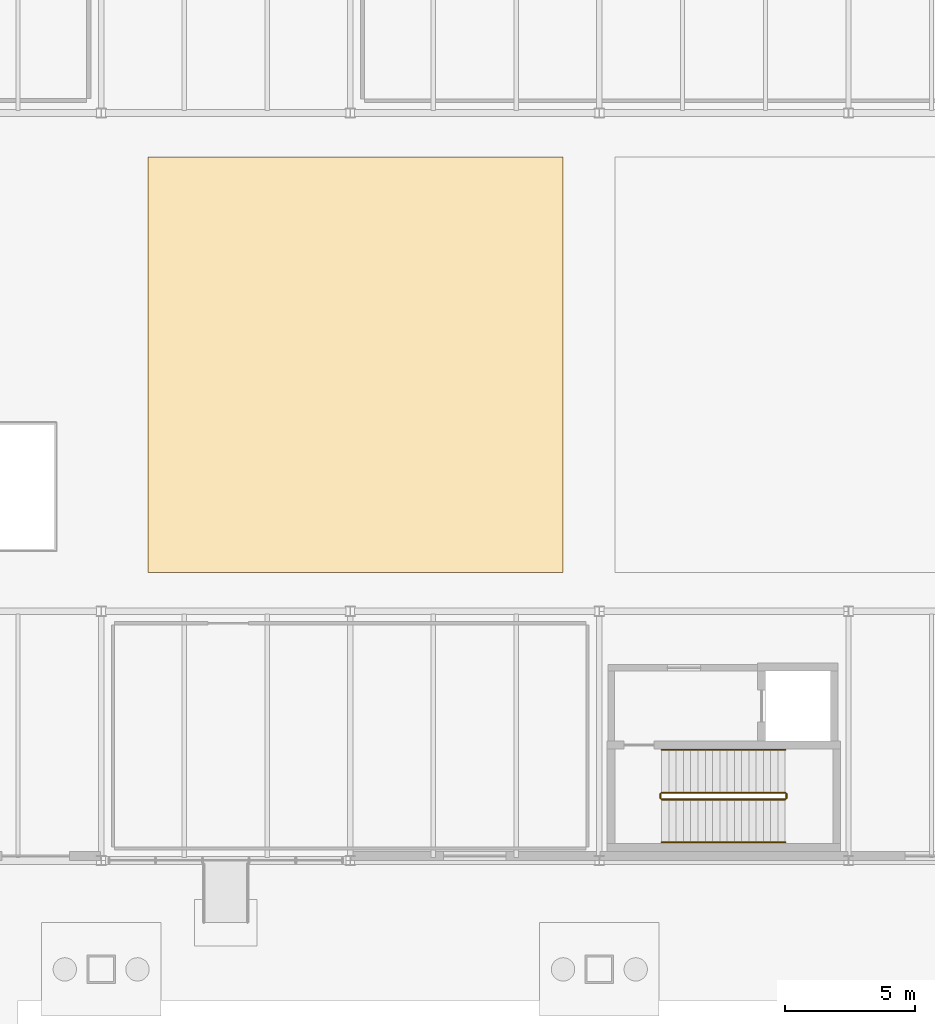
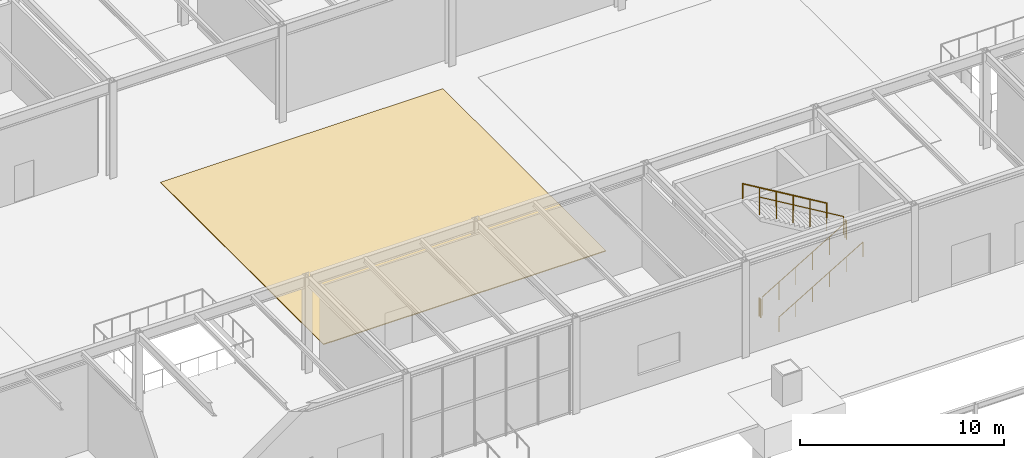
# One storey, part 133 of 142: 6 railings, 1 covering.
"""IFC4 building model written with IfcOpenShell, lengths in metres."""

from ifc_helpers import new_model, si_unit, direction, frame, origin, origin_2d, place, context, subcontext, project, spatial, polyline, circle, outline, extrude, material, layer, layer_set, type_object, element, save


model = new_model("IFC4")

# Units and contexts
model_context = context("Model", 3, precision=1e-05, world=origin(), true_north=direction((0.0, 1.0)))
body_context = subcontext(model_context, "Body", "Model", "MODEL_VIEW")
ifc_project = project(units=[si_unit("LENGTHUNIT", "METRE"), si_unit("AREAUNIT", "SQUARE_METRE"), si_unit("VOLUMEUNIT", "CUBIC_METRE"), si_unit("PLANEANGLEUNIT", "RADIAN"), si_unit("MASSUNIT", "GRAM", prefix="KILO")], contexts=[model_context])

# Site, building, storey
site_placement = place(None, origin())
site = spatial("IfcSite", under=ifc_project, at=site_placement, CompositionType="ELEMENT")
building_placement = place(site_placement, origin())
building = spatial("IfcBuilding", under=site, at=building_placement, Name="Coralgate Yard Interchange", CompositionType="ELEMENT")
storey_placement = place(building_placement, origin())
storey = spatial("IfcBuildingStorey", under=building, at=storey_placement, Name="L00", CompositionType="ELEMENT", Elevation=0.0)

# Covering
ifc_material_1 = material(Name="Heavy-duty slip-resistant granite concourse paving", Category="masonry")
ifc_layer = layer(ifc_material_1, 0.050048828125)
ifc_layer_set = layer_set([ifc_layer], Name="Heavy-duty slip-resistant granite concourse paving")
covering_type = type_object("IfcCoveringType", Name="COV-FLR2", PredefinedType="FLOORING", material=ifc_layer_set)
covering_placement = place(storey_placement, origin())
element("IfcCovering", 1, at=covering_placement, inside=storey, type_object=covering_type, Name="L00 concourse terrazzo paving zone 2", PredefinedType="FLOORING", context=body_context, shape_type="SweptSolid", body=[
    extrude(outline(polyline([(69.0, 49.5), (85.0, 49.5), (85.0, 65.5), (69.0, 65.5), (69.0, 49.5)])), origin(), (0.0, 0.0, 1.0), 0.050048828125),
])

# Railings
ifc_material_2 = material(Name="Grade 316 marine stainless steel and toughened glass balustrade", Category="steel")
railing_type_1 = type_object("IfcRailingType", Name="RLG-GD1100", PredefinedType="BALUSTRADE", material=ifc_material_2)
railing_1_placement = place(storey_placement, frame((88.800048828125, 40.75, 0.166748046875)))
element("IfcRailing", 2, at=railing_1_placement, inside=storey, type_object=railing_type_1, Name="L00 ST-06 stair guard 1", PredefinedType="BALUSTRADE", context=body_context, shape_type="SweptSolid", body=[
    extrude(circle(Radius=0.02392578125, at=origin_2d()), frame((0.0, 0.0, 1.076171875), z_axis=(0.859299802514, 0.0, 0.511472237174), x_axis=(0.0, 1.0, 0.0)), (0.0, 0.0, 1.0), 5.539306640625),
    extrude(circle(Radius=0.02099609375, at=origin_2d()), origin(), (0.0, 0.0, 1.0), 1.051513671875),
    extrude(circle(Radius=0.02099609375, at=origin_2d()), frame((0.951904296875, 0.0, 0.566650390625)), (0.0, 0.0, 1.0), 1.051513671875),
    extrude(circle(Radius=0.02099609375, at=origin_2d()), frame((1.904052734375, 0.0, 1.13330078125)), (0.0, 0.0, 1.0), 1.051513671875),
    extrude(circle(Radius=0.02099609375, at=origin_2d()), frame((2.85595703125, 0.0, 1.699951171875)), (0.0, 0.0, 1.0), 1.051513671875),
    extrude(circle(Radius=0.02099609375, at=origin_2d()), frame((3.80810546875, 0.0, 2.2666015625)), (0.0, 0.0, 1.0), 1.051513671875),
    extrude(circle(Radius=0.02099609375, at=origin_2d()), frame((4.760009765625, 0.0, 2.833251953125)), (0.0, 0.0, 1.0), 1.051513671875),
])
railing_2_placement = place(storey_placement, frame((93.610107421875, 40.800048828125, 3.0)))
element("IfcRailing", 3, at=railing_2_placement, inside=storey, type_object=railing_type_1, Name="L00 ST-06 stair guard 2", PredefinedType="BALUSTRADE", context=body_context, shape_type="SweptSolid", body=[
    extrude(circle(Radius=0.02392578125, at=origin_2d()), frame((0.0, 0.0, 1.076171875), z_axis=(0.0, 1.0, 0.0), x_axis=(-1.0, 0.0, 0.0)), (0.0, 0.0, 1.0), 0.159912109375),
    extrude(circle(Radius=0.02099609375, at=origin_2d()), origin(), (0.0, 0.0, 1.0), 1.051513671875),
    extrude(circle(Radius=0.02099609375, at=origin_2d()), frame((0.0, 0.159912109375, 0.0)), (0.0, 0.0, 1.0), 1.051513671875),
])
railing_3_placement = place(storey_placement, frame((93.56005859375, 41.010009765625, 3.166748046875)))
element("IfcRailing", 4, at=railing_3_placement, inside=storey, type_object=railing_type_1, Name="L00 ST-06 stair guard 3", PredefinedType="BALUSTRADE", context=body_context, shape_type="SweptSolid", body=[
    extrude(circle(Radius=0.02392578125, at=origin_2d()), frame((0.0, 0.0, 1.076171875), z_axis=(-0.859299802514, 0.0, 0.511472237174), x_axis=(0.0, -1.0, 0.0)), (0.0, 0.0, 1.0), 5.539306640625),
    extrude(circle(Radius=0.02099609375, at=origin_2d()), origin(), (0.0, 0.0, 1.0), 1.051513671875),
    extrude(circle(Radius=0.02099609375, at=origin_2d()), frame((-0.951904296875, 0.0, 0.566650390625)), (0.0, 0.0, 1.0), 1.051513671875),
    extrude(circle(Radius=0.02099609375, at=origin_2d()), frame((-1.904052734375, 0.0, 1.13330078125)), (0.0, 0.0, 1.0), 1.051513671875),
    extrude(circle(Radius=0.02099609375, at=origin_2d()), frame((-2.85595703125, 0.0, 1.699951171875)), (0.0, 0.0, 1.0), 1.051513671875),
    extrude(circle(Radius=0.02099609375, at=origin_2d()), frame((-3.80810546875, 0.0, 2.2666015625)), (0.0, 0.0, 1.0), 1.051513671875),
    extrude(circle(Radius=0.02099609375, at=origin_2d()), frame((-4.760009765625, 0.0, 2.833251953125)), (0.0, 0.0, 1.0), 1.051513671875),
])
railing_4_placement = place(storey_placement, frame((88.75, 40.800048828125, 0.0)))
element("IfcRailing", 5, at=railing_4_placement, inside=storey, type_object=railing_type_1, Name="L00 ST-06 stair guard 4", PredefinedType="BALUSTRADE", context=body_context, shape_type="SweptSolid", body=[
    extrude(circle(Radius=0.02392578125, at=origin_2d()), frame((0.0, 0.0, 1.076171875), z_axis=(0.0, 1.0, 0.0), x_axis=(-1.0, 0.0, 0.0)), (0.0, 0.0, 1.0), 0.159912109375),
    extrude(circle(Radius=0.02099609375, at=origin_2d()), origin(), (0.0, 0.0, 1.0), 1.051513671875),
    extrude(circle(Radius=0.02099609375, at=origin_2d()), frame((0.0, 0.159912109375, 0.0)), (0.0, 0.0, 1.0), 1.051513671875),
])
ifc_material_3 = material(Name="Grade 316 marine stainless steel", Category="steel")
railing_type_2 = type_object("IfcRailingType", Name="RLG-HR900", PredefinedType="HANDRAIL", material=ifc_material_3)
railing_5_placement = place(storey_placement, frame((88.800048828125, 39.10009765625, 0.166748046875)))
element("IfcRailing", 6, at=railing_5_placement, inside=storey, type_object=railing_type_2, Name="L00 ST-06 stair handrail 1", PredefinedType="HANDRAIL", context=body_context, shape_type="SweptSolid", body=[
    extrude(circle(Radius=0.02392578125, at=origin_2d()), frame((0.0, 0.0, 0.8759765625), z_axis=(0.859299802514, 0.0, 0.511472237174), x_axis=(0.0, 1.0, 0.0)), (0.0, 0.0, 1.0), 5.539306640625),
    extrude(circle(Radius=0.02099609375, at=origin_2d()), origin(), (0.0, 0.0, 1.0), 0.851318359375),
    extrude(circle(Radius=0.02099609375, at=origin_2d()), frame((0.951904296875, 0.0, 0.566650390625)), (0.0, 0.0, 1.0), 0.851318359375),
    extrude(circle(Radius=0.02099609375, at=origin_2d()), frame((1.904052734375, 0.0, 1.13330078125)), (0.0, 0.0, 1.0), 0.851318359375),
    extrude(circle(Radius=0.02099609375, at=origin_2d()), frame((2.85595703125, 0.0, 1.699951171875)), (0.0, 0.0, 1.0), 0.851318359375),
    extrude(circle(Radius=0.02099609375, at=origin_2d()), frame((3.80810546875, 0.0, 2.2666015625)), (0.0, 0.0, 1.0), 0.851318359375),
    extrude(circle(Radius=0.02099609375, at=origin_2d()), frame((4.760009765625, 0.0, 2.833251953125)), (0.0, 0.0, 1.0), 0.851318359375),
])
railing_6_placement = place(storey_placement, frame((93.56005859375, 42.659912109375, 3.166748046875)))
element("IfcRailing", 7, at=railing_6_placement, inside=storey, type_object=railing_type_2, Name="L00 ST-06 stair handrail 2", PredefinedType="HANDRAIL", context=body_context, shape_type="SweptSolid", body=[
    extrude(circle(Radius=0.02392578125, at=origin_2d()), frame((0.0, 0.0, 0.8759765625), z_axis=(-0.859299802514, 0.0, 0.511472237174), x_axis=(0.0, -1.0, 0.0)), (0.0, 0.0, 1.0), 5.539306640625),
    extrude(circle(Radius=0.02099609375, at=origin_2d()), origin(), (0.0, 0.0, 1.0), 0.851318359375),
    extrude(circle(Radius=0.02099609375, at=origin_2d()), frame((-0.951904296875, 0.0, 0.566650390625)), (0.0, 0.0, 1.0), 0.851318359375),
    extrude(circle(Radius=0.02099609375, at=origin_2d()), frame((-1.904052734375, 0.0, 1.13330078125)), (0.0, 0.0, 1.0), 0.851318359375),
    extrude(circle(Radius=0.02099609375, at=origin_2d()), frame((-2.85595703125, 0.0, 1.699951171875)), (0.0, 0.0, 1.0), 0.851318359375),
    extrude(circle(Radius=0.02099609375, at=origin_2d()), frame((-3.80810546875, 0.0, 2.2666015625)), (0.0, 0.0, 1.0), 0.851318359375),
    extrude(circle(Radius=0.02099609375, at=origin_2d()), frame((-4.760009765625, 0.0, 2.833251953125)), (0.0, 0.0, 1.0), 0.851318359375),
])

save(model, "model.ifc")
